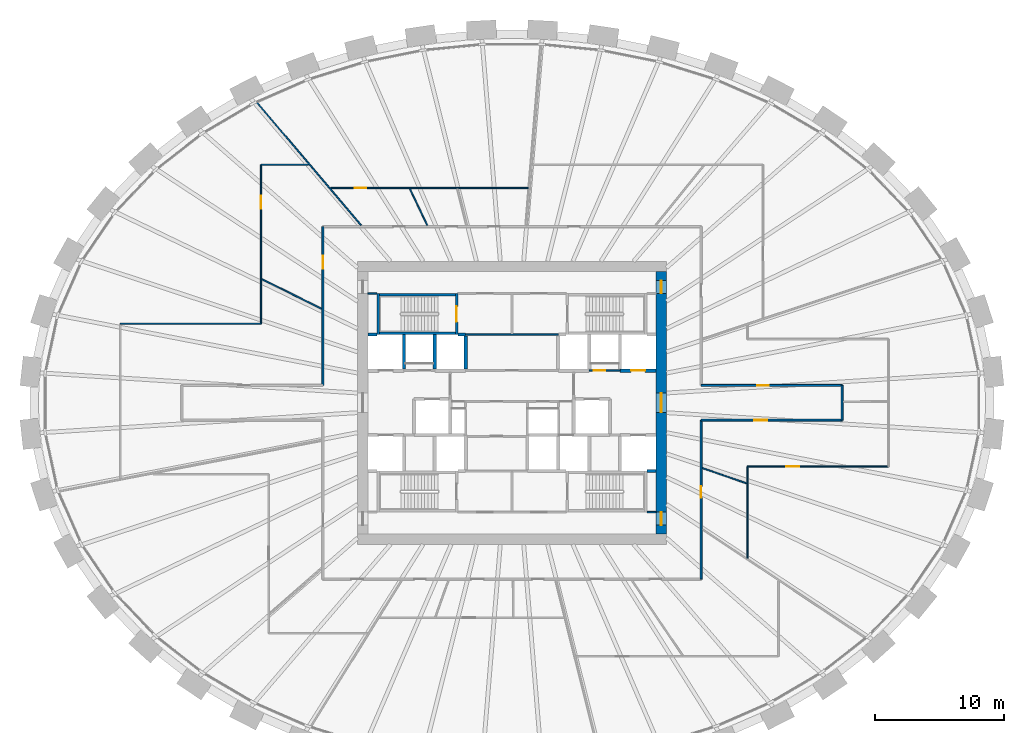
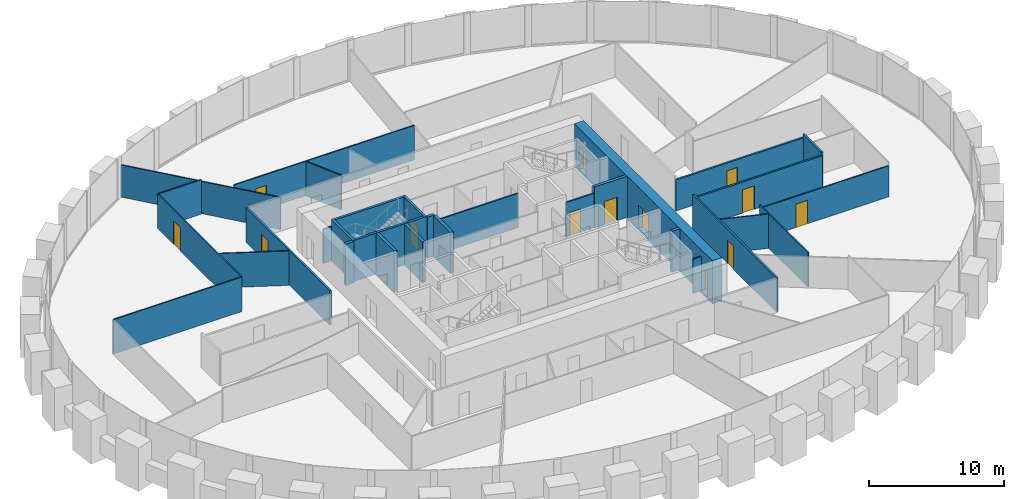
# One storey, part 8 of 10: 31 walls, 13 doors, 13 openings.
"""IFC4 building model written with IfcOpenShell, lengths in metres."""

import ifcopenshell
import ifcopenshell.guid

model = None  # the IFC model being written
_history = None  # IfcOwnerHistory: only IFC2X3 demands one
_inside = {}  # id of a spatial element -> (the spatial element, [elements in it])
_under = {}  # id of a project, library or spatial element -> (it, [spatial elements below it])
_declared = {}  # id of a project -> (the project, [libraries it declares])
_typed = {}  # id of a type object -> (the type object, [elements of that type])
_made_of = {}  # id of a material, layer set ... -> (it, [elements and type objects made of it])


def new_model(schema):
    """Start an empty IFC model of exactly this schema.

    Asked for "IFC4X3", IfcOpenShell would pick the latest addendum, in which some entities
    have other attributes; the version numbers below select the first issue.
    IFC2X3 requires an IfcOwnerHistory on every rooted entity: one is made here for all.
    """
    global model, _history
    if schema == "IFC4X3":
        model = ifcopenshell.file(schema_version=(4, 3, 0, 0))
    else:
        model = ifcopenshell.file(schema=schema)
    _inside.clear()
    _under.clear()
    _declared.clear()
    _typed.clear()
    _made_of.clear()
    _history = None
    if model.schema == "IFC2X3":
        org = make("IfcOrganization", Name="unknown")
        user = make(
            "IfcPersonAndOrganization",
            ThePerson=make("IfcPerson", FamilyName="unknown"),
            TheOrganization=org,
        )
        app = make(
            "IfcApplication",
            ApplicationDeveloper=org,
            Version="unknown",
            ApplicationFullName="unknown",
            ApplicationIdentifier="unknown",
        )
        _history = make(
            "IfcOwnerHistory",
            OwningUser=user,
            OwningApplication=app,
            ChangeAction="ADDED",
            CreationDate=0,
        )
    return model


def make(cls, **values):
    """One entity of the class cls with the attributes given. An attribute that is None is left unset."""
    return model.create_entity(
        cls, **{name: value for name, value in values.items() if value is not None}
    )


def rooted(cls, **values):
    """An entity with a GlobalId (a new one), such as an element, a storey or a relation."""
    return make(cls, GlobalId=ifcopenshell.guid.new(), OwnerHistory=_history, **values)


def si_unit(unit_type, name, prefix=None):
    """IfcSIUnit, for example si_unit("LENGTHUNIT", "METRE", prefix="MILLI")."""
    return make("IfcSIUnit", UnitType=unit_type, Prefix=prefix, Name=name)


def assignment(units):
    """IfcUnitAssignment: the units of a project."""
    return None if units is None else make("IfcUnitAssignment", Units=units)


def point(xyz):
    """IfcCartesianPoint."""
    return None if xyz is None else make("IfcCartesianPoint", Coordinates=xyz)


def direction(xyz):
    """IfcDirection."""
    return None if xyz is None else make("IfcDirection", DirectionRatios=xyz)


def frame(location, z_axis=None, x_axis=None):
    """IfcAxis2Placement3D, a coordinate frame: its origin and axes. An axis left out is left unset."""
    return make(
        "IfcAxis2Placement3D",
        Location=point(location),
        Axis=direction(z_axis),
        RefDirection=direction(x_axis),
    )


def frame_2d(location, x_axis=None):
    """IfcAxis2Placement2D, a coordinate frame in the plane: its origin and x axis."""
    return make(
        "IfcAxis2Placement2D", Location=point(location), RefDirection=direction(x_axis)
    )


def origin():
    """The frame at (0, 0, 0) with its axes left unset."""
    return frame((0.0, 0.0, 0.0))


def place(relative_to, where):
    """IfcLocalPlacement: puts the frame where relative to a parent placement (None: the world)."""
    return make(
        "IfcLocalPlacement", PlacementRelTo=relative_to, RelativePlacement=where
    )


def context(
    kind, dimensions, precision=None, world=None, true_north=None, identifier=None
):
    """IfcGeometricRepresentationContext, for example the 3D "Model" context."""
    return make(
        "IfcGeometricRepresentationContext",
        ContextIdentifier=identifier,
        ContextType=kind,
        CoordinateSpaceDimension=dimensions,
        Precision=precision,
        WorldCoordinateSystem=world,
        TrueNorth=true_north,
    )


def subcontext(parent, identifier, kind, view, scale=None):
    """IfcGeometricRepresentationSubContext, for example "Body" below "Model"."""
    return make(
        "IfcGeometricRepresentationSubContext",
        ContextIdentifier=identifier,
        ContextType=kind,
        ParentContext=parent,
        TargetScale=scale,
        TargetView=view,
    )


def project(units=None, contexts=None):
    """IfcProject with its units and contexts."""
    return rooted(
        "IfcProject",
        Name="project",
        RepresentationContexts=contexts,
        UnitsInContext=assignment(units),
    )


def spatial(cls, under=None, at=None, **own):
    """A site, building, storey or space (cls), placed at a placement, below another one or the project."""
    s = rooted(cls, ObjectPlacement=at, **own)
    if under is not None:
        _under.setdefault(under.id(), (under, []))[1].append(s)
    return s


def profile(cls, at=None, kind="AREA", **sizes):
    """A parametric profile (cls). Its sizes go by their IFC names, for example OverallWidth=200.0."""
    return make(cls, ProfileType=kind, Position=at, **sizes)


def rectangle(**sizes):
    """IfcRectangleProfileDef."""
    return profile("IfcRectangleProfileDef", **sizes)


def extrude(swept, where, along, depth):
    """IfcExtrudedAreaSolid: the profile swept, set in the frame where, extruded along a direction by depth."""
    return make(
        "IfcExtrudedAreaSolid",
        SweptArea=swept,
        Position=where,
        ExtrudedDirection=direction(along),
        Depth=depth,
    )


def shape(context_of_items, identifier, shape_type, items):
    """IfcShapeRepresentation: the items that make up one representation, for example the "Body"."""
    return make(
        "IfcShapeRepresentation",
        ContextOfItems=context_of_items,
        RepresentationIdentifier=identifier,
        RepresentationType=shape_type,
        Items=items,
    )


def source(mapping_origin, context_of_items, identifier, shape_type, items):
    """IfcRepresentationMap: a shape defined once, which mapped items show again and again."""
    return make(
        "IfcRepresentationMap",
        MappingOrigin=mapping_origin,
        MappedRepresentation=shape(context_of_items, identifier, shape_type, items),
    )


def transform(
    local_origin,
    x_axis=None,
    y_axis=None,
    z_axis=None,
    scale=None,
    scale2=None,
    scale3=None,
    uniform=True,
):
    """IfcCartesianTransformationOperator3D, or its non-uniform kind. x_axis, y_axis, z_axis: its Axis1, 2, 3."""
    if uniform:
        return make(
            "IfcCartesianTransformationOperator3D",
            Axis1=direction(x_axis),
            Axis2=direction(y_axis),
            LocalOrigin=point(local_origin),
            Scale=scale,
            Axis3=direction(z_axis),
        )
    return make(
        "IfcCartesianTransformationOperator3DnonUniform",
        Axis1=direction(x_axis),
        Axis2=direction(y_axis),
        LocalOrigin=point(local_origin),
        Scale=scale,
        Axis3=direction(z_axis),
        Scale2=scale2,
        Scale3=scale3,
    )


def mapped(mapping_source, mapping_target):
    """IfcMappedItem: shows the shape of a source again, moved by a transform."""
    return make(
        "IfcMappedItem", MappingSource=mapping_source, MappingTarget=mapping_target
    )


def material(Name=None, Category=None):
    """IfcMaterial."""
    return make("IfcMaterial", Name=Name, Category=Category)


def layer(
    of_material, thickness, ventilated=None, Name=None, Category=None, Priority=None
):
    """IfcMaterialLayer: one layer of a wall or slab, of a material (None: an air gap)."""
    return make(
        "IfcMaterialLayer",
        Material=of_material,
        LayerThickness=thickness,
        IsVentilated=ventilated,
        Name=Name,
        Category=Category,
        Priority=Priority,
    )


def layer_set(layers, Name=None):
    """IfcMaterialLayerSet."""
    return make("IfcMaterialLayerSet", MaterialLayers=layers, LayerSetName=Name)


def made_of(thing, what):
    """Note that an element or type object is made of a material, layer set ...; save() writes the relation."""
    if what is not None:
        _made_of.setdefault(what.id(), (what, []))[1].append(thing)
    return thing


def type_object(cls, material=None, **own):
    """A type object (cls), such as IfcWallType, which elements share."""
    return made_of(rooted(cls, **own), material)


def element(
    cls,
    number,
    at=None,
    inside=None,
    cuts=None,
    type_object=None,
    material=None,
    context=None,
    identifier="Body",
    shape_type=None,
    held_by="IfcProductDefinitionShape",
    body=None,
    shapes=None,
    **own,
):
    """One element of the class cls, such as IfcWall. Its Tag is "e" and its number.

    at: its placement. inside: the storey or other place that contains it. cuts: it is an
    opening in that element (IfcRelVoidsElement). A single representation is given by context,
    identifier, shape_type and body (its items); several are given by shapes. held_by: the class
    of the entity that holds the representations. save() writes the other relations.
    """
    e = rooted(cls, Tag="e%d" % number, ObjectPlacement=at, **own)
    if body is not None:
        shapes = [shape(context, identifier, shape_type, body)]
    if shapes is not None:
        e.Representation = make(held_by, Representations=shapes)
    if inside is not None:
        _inside.setdefault(inside.id(), (inside, []))[1].append(e)
    if cuts is not None:
        rooted(
            "IfcRelVoidsElement", RelatingBuildingElement=cuts, RelatedOpeningElement=e
        )
    if type_object is not None:
        _typed.setdefault(type_object.id(), (type_object, []))[1].append(e)
    return made_of(e, material)


def fill(opening, filler):
    """IfcRelFillsElement: the door or window that sits in an opening."""
    return rooted(
        "IfcRelFillsElement",
        RelatingOpeningElement=opening,
        RelatedBuildingElement=filler,
    )


def aggregate(whole, parts):
    """IfcRelAggregates: a whole, such as a stair, and the parts it consists of."""
    return rooted("IfcRelAggregates", RelatingObject=whole, RelatedObjects=parts)


def save(model, path):
    """Write the relations noted so far, then the file.

    IfcRelAggregates (storeys below a building ...), IfcRelContainedInSpatialStructure (elements
    in a storey), IfcRelDefinesByType, IfcRelAssociatesMaterial and IfcRelDeclares: one each for
    every whole, place, type object, material and project.
    """
    for whole, parts in _under.values():
        aggregate(whole, parts)
    for where, things in _inside.values():
        rooted(
            "IfcRelContainedInSpatialStructure",
            RelatedElements=things,
            RelatingStructure=where,
        )
    for kind, things in _typed.values():
        rooted("IfcRelDefinesByType", RelatedObjects=things, RelatingType=kind)
    for what, things in _made_of.values():
        rooted("IfcRelAssociatesMaterial", RelatedObjects=things, RelatingMaterial=what)
    for by, libraries in _declared.values():
        rooted("IfcRelDeclares", RelatingContext=by, RelatedDefinitions=libraries)
    model.write(path)


model = new_model("IFC4")

# Units and contexts
model_context = context("Model", 3, precision=1e-05, world=origin(), true_north=direction((0.0, 1.0)))
body_context = subcontext(model_context, "Body", "Model", "MODEL_VIEW")
ifc_project = project(units=[si_unit("LENGTHUNIT", "METRE"), si_unit("AREAUNIT", "SQUARE_METRE"), si_unit("VOLUMEUNIT", "CUBIC_METRE"), si_unit("PLANEANGLEUNIT", "RADIAN"), si_unit("MASSUNIT", "GRAM", prefix="KILO")], contexts=[model_context])

# Site, building, storey
site_placement = place(None, origin())
site = spatial("IfcSite", under=ifc_project, at=site_placement, CompositionType="ELEMENT")
building_placement = place(site_placement, origin())
building = spatial("IfcBuilding", under=site, at=building_placement, Name="Embergate Tower", CompositionType="ELEMENT")
storey_placement = place(building_placement, frame((0.0, 0.0, 167.699951171875)))
storey = spatial("IfcBuildingStorey", under=building, at=storey_placement, Name="L37", CompositionType="ELEMENT", Elevation=167.699951171875)

# Wall, openings, doors
ifc_material_1 = material(Name="Concrete C70", Category="concrete")
ifc_layer_1 = layer(ifc_material_1, 0.800048828125)
ifc_layer_set_1 = layer_set([ifc_layer_1], Name="Concrete C70")
wall_type_1 = type_object("IfcWallType", Name="Core outer wall C70 800", PredefinedType="SHEAR", material=ifc_layer_set_1)
shared_shape_1 = source(origin(), body_context, "Body", "SweptSolid", [
    extrude(rectangle(XDim=20.39990234375, YDim=0.800048828125, at=frame_2d((10.199951171875, 0.0))), origin(), (0.0, 0.0, 1.0), 3.89990234375),
])
wall_1_placement = place(storey_placement, frame((11.60009765625, -10.199951171875, -0.199951171875), z_axis=(0.0, 0.0, 1.0), x_axis=(0.0, 1.0, 0.0)))
wall_1 = element("IfcWall", 1, at=wall_1_placement, inside=storey, type_object=wall_type_1, Name="CW-L37-E", PredefinedType="SHEAR", context=body_context, shape_type="MappedRepresentation", body=[
    mapped(shared_shape_1, transform((0.0, 0.0, 0.0))),
])
shared_shape_2 = source(origin(), body_context, "Body", "SweptSolid", [
    extrude(rectangle(XDim=1.0, YDim=2.10009765625, at=frame_2d((0.5, 1.050048828125))), frame((0.0, 0.409912109375, 0.0), z_axis=(0.0, -1.0, 0.0), x_axis=(1.0, 0.0, 0.0)), (0.0, 0.0, 1.0), 0.820068359375),
])
opening_1_placement = place(wall_1_placement, frame((18.699951171875, 0.0, 0.199951171875)))
opening_1 = element("IfcOpeningElement", 2, at=opening_1_placement, cuts=wall_1, Name="Opening IF-1d", PredefinedType="OPENING", context=body_context, shape_type="MappedRepresentation", body=[
    mapped(shared_shape_2, transform((0.0, 0.0, 0.0))),
])
opening_2_placement = place(wall_1_placement, frame((0.699951171875, 0.0, 0.199951171875)))
opening_2 = element("IfcOpeningElement", 3, at=opening_2_placement, cuts=wall_1, Name="Opening IF-1d", PredefinedType="OPENING", context=body_context, shape_type="MappedRepresentation", body=[
    mapped(shared_shape_2, transform((0.0, 0.0, 0.0))),
])
shared_shape_3 = source(origin(), body_context, "Body", "SweptSolid", [
    extrude(rectangle(XDim=1.5, YDim=2.10009765625, at=frame_2d((0.75, 1.050048828125))), frame((0.0, 0.409912109375, 0.0), z_axis=(0.0, -1.0, 0.0), x_axis=(1.0, 0.0, 0.0)), (0.0, 0.0, 1.0), 0.820068359375),
])
opening_3_placement = place(wall_1_placement, frame((9.449951171875, 0.0, 0.199951171875)))
opening_3 = element("IfcOpeningElement", 4, at=opening_3_placement, cuts=wall_1, Name="Opening IF-3", PredefinedType="OPENING", context=body_context, shape_type="MappedRepresentation", body=[
    mapped(shared_shape_3, transform((0.0, 0.0, 0.0))),
])
ifc_material_2 = material(Name="Lobby fire door pair 1500")
door_type_1 = type_object("IfcDoorType", Name="Lobby fire door pair 1500", OperationType="DOUBLE_DOOR_SINGLE_SWING", PredefinedType="DOOR", material=ifc_material_2)
shared_shape_4 = source(origin(), body_context, "Body", "SweptSolid", [
    extrude(rectangle(XDim=1.5, YDim=2.10009765625, at=frame_2d((0.75, 1.050048828125))), frame((0.0, 0.02490234375, 0.0), z_axis=(0.0, -1.0, 0.0), x_axis=(1.0, 0.0, 0.0)), (0.0, 0.0, 1.0), 0.050048828125),
])
door_1_placement = place(opening_3_placement, origin())
door_1 = element("IfcDoor", 5, at=door_1_placement, inside=storey, type_object=door_type_1, Name="IF-3 door", OperationType="DOUBLE_DOOR_SINGLE_SWING", OverallHeight=2.10009765625, OverallWidth=1.5, PredefinedType="DOOR", context=body_context, shape_type="MappedRepresentation", body=[
    mapped(shared_shape_4, transform((0.0, 0.0, 0.0))),
])
fill(opening_3, door_1)
ifc_material_3 = material(Name="Escape fire door 1000")
door_type_2 = type_object("IfcDoorType", Name="Escape fire door 1000", OperationType="SINGLE_SWING_LEFT", PredefinedType="DOOR", material=ifc_material_3)
shared_shape_5 = source(origin(), body_context, "Body", "SweptSolid", [
    extrude(rectangle(XDim=1.0, YDim=2.10009765625, at=frame_2d((0.5, 1.050048828125))), frame((0.0, 0.02490234375, 0.0), z_axis=(0.0, -1.0, 0.0), x_axis=(1.0, 0.0, 0.0)), (0.0, 0.0, 1.0), 0.050048828125),
])
door_2_placement = place(opening_1_placement, origin())
door_2 = element("IfcDoor", 6, at=door_2_placement, inside=storey, type_object=door_type_2, Name="IF-1 door", OperationType="SINGLE_SWING_RIGHT", OverallHeight=2.10009765625, OverallWidth=1.0, PredefinedType="DOOR", context=body_context, shape_type="MappedRepresentation", body=[
    mapped(shared_shape_5, transform((0.0, 0.0, 0.0))),
])
fill(opening_1, door_2)
door_3_placement = place(opening_2_placement, origin())
door_3 = element("IfcDoor", 7, at=door_3_placement, inside=storey, type_object=door_type_2, Name="IF-1 door", OperationType="SINGLE_SWING_LEFT", OverallHeight=2.10009765625, OverallWidth=1.0, PredefinedType="DOOR", context=body_context, shape_type="MappedRepresentation", body=[
    mapped(shared_shape_5, transform((0.0, 0.0, 0.0))),
])
fill(opening_2, door_3)

# Walls
ifc_material_4 = material(Name="Concrete C50", Category="concrete")
ifc_layer_2 = layer(ifc_material_4, 0.25)
ifc_layer_set_2 = layer_set([ifc_layer_2], Name="Concrete C50")
wall_type_2 = type_object("IfcWallType", Name="Hoistway wall reinforced concrete 250", PredefinedType="SHEAR", material=ifc_layer_set_2)
shared_shape_6 = source(origin(), body_context, "Body", "SweptSolid", [
    extrude(rectangle(XDim=2.675048828125, YDim=0.25, at=frame_2d((1.33740234375, 0.0))), origin(), (0.0, 0.0, 1.0), 3.699951171875),
])
for number, where, z_axis, x_axis, name in (
    (8, (-8.39990234375, 2.625, 0.0), (0.0, 0.0, 1.0), (0.0, 1.0, 0.0), "HW-1 wall"),
    (9, (-6.0, 2.625, 0.0), (0.0, 0.0, 1.0), (0.0, 1.0, 0.0), "HW-1 wall"),
):
    element("IfcWall", number, at=place(storey_placement, frame(where, z_axis=z_axis, x_axis=x_axis)), inside=storey, type_object=wall_type_2, Name=name, PredefinedType="SHEAR", context=body_context, shape_type="MappedRepresentation", body=[
        mapped(shared_shape_6, transform((0.0, 0.0, 0.0))),
    ])
ifc_layer_3 = layer(ifc_material_4, 0.199951171875)
ifc_layer_set_3 = layer_set([ifc_layer_3], Name="Concrete C50")
wall_type_3 = type_object("IfcWallType", Name="Stair enclosure wall reinforced concrete 250", PredefinedType="SHEAR", material=ifc_layer_set_3)
shared_shape_7 = source(origin(), body_context, "Body", "SweptSolid", [
    extrude(rectangle(XDim=6.300048828125, YDim=0.199951171875, at=frame_2d((3.14990234375, 0.0))), origin(), (0.0, 0.0, 1.0), 3.699951171875),
])
for number, where, z_axis, x_axis, name in (
    (10, (-4.199951171875, 5.39990234375, 0.0), (0.0, 0.0, 1.0), (-1.0, 0.0, 0.0), "SE-1 wall"),
    (11, (-4.199951171875, 8.39990234375, 0.0), (0.0, 0.0, 1.0), (-1.0, 0.0, 0.0), "SE-1 wall"),
):
    element("IfcWall", number, at=place(storey_placement, frame(where, z_axis=z_axis, x_axis=x_axis)), inside=storey, type_object=wall_type_3, Name=name, PredefinedType="SHEAR", context=body_context, shape_type="MappedRepresentation", body=[
        mapped(shared_shape_7, transform((0.0, 0.0, 0.0))),
    ])
shared_shape_8 = source(origin(), body_context, "Body", "SweptSolid", [
    extrude(rectangle(XDim=2.550048828125, YDim=0.25, at=frame_2d((1.27490234375, 0.0))), origin(), (0.0, 0.0, 1.0), 3.699951171875),
])
wall_2_placement = place(storey_placement, frame((-3.60009765625, 2.625, 0.0), z_axis=(0.0, 0.0, 1.0), x_axis=(0.0, 1.0, 0.0)))
element("IfcWall", 12, at=wall_2_placement, inside=storey, type_object=wall_type_2, Name="HW-1 wall", PredefinedType="SHEAR", context=body_context, shape_type="MappedRepresentation", body=[
    mapped(shared_shape_8, transform((0.0, 0.0, 0.0))),
])

# Wall, opening, door
shared_shape_9 = source(origin(), body_context, "Body", "SweptSolid", [
    extrude(rectangle(XDim=3.199951171875, YDim=0.199951171875, at=frame_2d((1.60009765625, 0.0))), origin(), (0.0, 0.0, 1.0), 3.699951171875),
])
wall_3_placement = place(storey_placement, frame((-4.300048828125, 5.300048828125, 0.0), z_axis=(0.0, 0.0, 1.0), x_axis=(0.0, 1.0, 0.0)))
wall_3 = element("IfcWall", 13, at=wall_3_placement, inside=storey, type_object=wall_type_3, Name="SE-1 wall", PredefinedType="SHEAR", context=body_context, shape_type="MappedRepresentation", body=[
    mapped(shared_shape_9, transform((0.0, 0.0, 0.0))),
])
shared_shape_10 = source(origin(), body_context, "Body", "SweptSolid", [
    extrude(rectangle(XDim=1.199951171875, YDim=2.10009765625, at=frame_2d((0.60009765625, 1.050048828125))), frame((0.0, 0.10986328125, 0.0), z_axis=(0.0, -1.0, 0.0), x_axis=(1.0, 0.0, 0.0)), (0.0, 0.0, 1.0), 0.219970703125),
])
opening_4_placement = place(wall_3_placement, frame((1.0, 0.0, 0.0)))
opening_4 = element("IfcOpeningElement", 14, at=opening_4_placement, cuts=wall_3, Name="Opening IF-2", PredefinedType="OPENING", context=body_context, shape_type="MappedRepresentation", body=[
    mapped(shared_shape_10, transform((0.0, 0.0, 0.0))),
])
ifc_material_5 = material(Name="Stair enclosure door 1200")
door_type_3 = type_object("IfcDoorType", Name="Stair enclosure door 1200", OperationType="SINGLE_SWING_LEFT", PredefinedType="DOOR", material=ifc_material_5)
shared_shape_11 = source(origin(), body_context, "Body", "SweptSolid", [
    extrude(rectangle(XDim=1.199951171875, YDim=2.10009765625, at=frame_2d((0.60009765625, 1.050048828125))), frame((0.0, 0.02490234375, 0.0), z_axis=(0.0, -1.0, 0.0), x_axis=(1.0, 0.0, 0.0)), (0.0, 0.0, 1.0), 0.050048828125),
])
door_4_placement = place(opening_4_placement, origin())
door_4 = element("IfcDoor", 15, at=door_4_placement, inside=storey, type_object=door_type_3, Name="IF-2 door", OperationType="SINGLE_SWING_LEFT", OverallHeight=2.10009765625, OverallWidth=1.199951171875, PredefinedType="DOOR", context=body_context, shape_type="MappedRepresentation", body=[
    mapped(shared_shape_11, transform((0.0, 0.0, 0.0))),
])
fill(opening_4, door_4)

ifc_material_6 = material(Name="Corridor wall dry-lined 150")
ifc_layer_4 = layer(ifc_material_6, 0.14990234375)
ifc_layer_set_4 = layer_set([ifc_layer_4], Name="Corridor wall dry-lined 150")
wall_type_4 = type_object("IfcWallType", Name="Corridor wall dry-lined 150", PredefinedType="PARTITIONING", material=ifc_layer_set_4)
shared_shape_12 = source(origin(), body_context, "Body", "SweptSolid", [
    extrude(rectangle(XDim=10.949951171875, YDim=0.14990234375, at=frame_2d((5.47509765625, 0.0))), origin(), (0.0, 0.0, 1.0), 2.800048828125),
])
wall_4_placement = place(storey_placement, frame((25.64990234375, -1.35009765625, 0.0), z_axis=(0.0, 0.0, 1.0), x_axis=(-1.0, 0.0, 0.0)))
wall_4 = element("IfcWall", 16, at=wall_4_placement, inside=storey, type_object=wall_type_4, Name="IP-2 wall", PredefinedType="PARTITIONING", context=body_context, shape_type="MappedRepresentation", body=[
    mapped(shared_shape_12, transform((0.0, 0.0, 0.0))),
])
shared_shape_13 = source(origin(), body_context, "Body", "SweptSolid", [
    extrude(rectangle(XDim=1.0, YDim=2.10009765625, at=frame_2d((0.5, 1.050048828125))), frame((0.0, 0.0849609375, 0.0), z_axis=(0.0, -1.0, 0.0), x_axis=(1.0, 0.0, 0.0)), (0.0, 0.0, 1.0), 0.169921875),
])
opening_5_placement = place(wall_4_placement, frame((5.81591796875, 0.0, 0.0)))
opening_5 = element("IfcOpeningElement", 17, at=opening_5_placement, cuts=wall_4, Name="Opening ID-2", PredefinedType="OPENING", context=body_context, shape_type="MappedRepresentation", body=[
    mapped(shared_shape_13, transform((0.0, 0.0, 0.0))),
])
ifc_material_7 = material(Name="Interior door 1000")
door_type_4 = type_object("IfcDoorType", Name="Interior door 1000", OperationType="SINGLE_SWING_LEFT", PredefinedType="DOOR", material=ifc_material_7)
door_5_placement = place(opening_5_placement, origin())
door_5 = element("IfcDoor", 18, at=door_5_placement, inside=storey, type_object=door_type_4, Name="ID-2 door", OperationType="SINGLE_SWING_LEFT", OverallHeight=2.10009765625, OverallWidth=1.0, PredefinedType="DOOR", context=body_context, shape_type="MappedRepresentation", body=[
    mapped(shared_shape_5, transform((0.0, 0.0, 0.0))),
])
fill(opening_5, door_5)

wall_5_placement = place(storey_placement, frame((14.699951171875, 1.35009765625, 0.0), z_axis=(0.0, 0.0, 1.0), x_axis=(1.0, 0.0, 0.0)))
wall_5 = element("IfcWall", 19, at=wall_5_placement, inside=storey, type_object=wall_type_4, Name="IP-2 wall", PredefinedType="PARTITIONING", context=body_context, shape_type="MappedRepresentation", body=[
    mapped(shared_shape_12, transform((0.0, 0.0, 0.0))),
])
shared_shape_14 = source(origin(), body_context, "Body", "SweptSolid", [
    extrude(rectangle(XDim=0.89990234375, YDim=2.10009765625, at=frame_2d((0.449951171875, 1.050048828125))), frame((0.0, 0.0849609375, 0.0), z_axis=(0.0, -1.0, 0.0), x_axis=(1.0, 0.0, 0.0)), (0.0, 0.0, 1.0), 0.169921875),
])
opening_6_placement = place(wall_5_placement, frame((4.364013671875, 0.0, 0.0)))
opening_6 = element("IfcOpeningElement", 20, at=opening_6_placement, cuts=wall_5, Name="Opening IF-1c", PredefinedType="OPENING", context=body_context, shape_type="MappedRepresentation", body=[
    mapped(shared_shape_14, transform((0.0, 0.0, 0.0))),
])
ifc_material_8 = material(Name="Escape fire door 900")
door_type_5 = type_object("IfcDoorType", Name="Escape fire door 900", OperationType="SINGLE_SWING_LEFT", PredefinedType="DOOR", material=ifc_material_8)
shared_shape_15 = source(origin(), body_context, "Body", "SweptSolid", [
    extrude(rectangle(XDim=0.89990234375, YDim=2.10009765625, at=frame_2d((0.449951171875, 1.050048828125))), frame((0.0, 0.02490234375, 0.0), z_axis=(0.0, -1.0, 0.0), x_axis=(1.0, 0.0, 0.0)), (0.0, 0.0, 1.0), 0.050048828125),
])
door_6_placement = place(opening_6_placement, origin())
door_6 = element("IfcDoor", 21, at=door_6_placement, inside=storey, type_object=door_type_5, Name="IF-1 door", OperationType="SINGLE_SWING_RIGHT", OverallHeight=2.10009765625, OverallWidth=0.89990234375, PredefinedType="DOOR", context=body_context, shape_type="MappedRepresentation", body=[
    mapped(shared_shape_15, transform((0.0, 0.0, 0.0))),
])
fill(opening_6, door_6)

# Wall
ifc_material_9 = material(Name="Partition dry-lined 100")
ifc_layer_5 = layer(ifc_material_9, 0.10009765625)
ifc_layer_set_5 = layer_set([ifc_layer_5], Name="Partition dry-lined 100")
wall_type_5 = type_object("IfcWallType", Name="Partition dry-lined 100", PredefinedType="PARTITIONING", material=ifc_layer_set_5)
shared_shape_16 = source(origin(), body_context, "Body", "SweptSolid", [
    extrude(rectangle(XDim=10.949951171875, YDim=0.10009765625, at=frame_2d((5.47509765625, 0.0))), origin(), (0.0, 0.0, 1.0), 3.10009765625),
])
wall_6_placement = place(storey_placement, frame((-19.5, 6.14990234375, 0.0), z_axis=(0.0, 0.0, 1.0), x_axis=(-1.0, 0.0, 0.0)))
element("IfcWall", 22, at=wall_6_placement, inside=storey, type_object=wall_type_5, Name="IP-1 wall", PredefinedType="PARTITIONING", context=body_context, shape_type="MappedRepresentation", body=[
    mapped(shared_shape_16, transform((0.0, 0.0, 0.0))),
])

# Wall, opening, door
shared_shape_17 = source(origin(), body_context, "Body", "SweptSolid", [
    extrude(rectangle(XDim=10.949951171875, YDim=0.10009765625, at=frame_2d((5.47509765625, 0.0))), origin(), (0.0, 0.0, 1.0), 2.800048828125),
])
wall_7_placement = place(storey_placement, frame((29.25, -4.949951171875, 0.0), z_axis=(0.0, 0.0, 1.0), x_axis=(-1.0, 0.0, 0.0)))
wall_7 = element("IfcWall", 23, at=wall_7_placement, inside=storey, type_object=wall_type_5, Name="IP-1 wall", PredefinedType="PARTITIONING", context=body_context, shape_type="MappedRepresentation", body=[
    mapped(shared_shape_17, transform((0.0, 0.0, 0.0))),
])
shared_shape_18 = source(origin(), body_context, "Body", "SweptSolid", [
    extrude(rectangle(XDim=1.0, YDim=2.10009765625, at=frame_2d((0.5, 1.050048828125))), frame((0.0, 0.06005859375, 0.0), z_axis=(0.0, -1.0, 0.0), x_axis=(1.0, 0.0, 0.0)), (0.0, 0.0, 1.0), 0.1201171875),
])
opening_7_placement = place(wall_7_placement, frame((6.93798828125, 0.0, 0.0)))
opening_7 = element("IfcOpeningElement", 24, at=opening_7_placement, cuts=wall_7, Name="Opening ID-2", PredefinedType="OPENING", context=body_context, shape_type="MappedRepresentation", body=[
    mapped(shared_shape_18, transform((0.0, 0.0, 0.0))),
])
door_7_placement = place(opening_7_placement, origin())
door_7 = element("IfcDoor", 25, at=door_7_placement, inside=storey, type_object=door_type_4, Name="ID-2 door", OperationType="SINGLE_SWING_RIGHT", OverallHeight=2.10009765625, OverallWidth=1.0, PredefinedType="DOOR", context=body_context, shape_type="MappedRepresentation", body=[
    mapped(shared_shape_5, transform((0.0, 0.0, 0.0))),
])
fill(opening_7, door_7)

shared_shape_19 = source(origin(), body_context, "Body", "SweptSolid", [
    extrude(rectangle(XDim=2.800048828125, YDim=0.25, at=frame_2d((1.39990234375, 0.0))), origin(), (0.0, 0.0, 1.0), 3.699951171875),
])
wall_8_placement = place(storey_placement, frame((8.39990234375, 2.5, 0.0), z_axis=(0.0, 0.0, 1.0), x_axis=(1.0, 0.0, 0.0)))
wall_8 = element("IfcWall", 26, at=wall_8_placement, inside=storey, type_object=wall_type_2, Name="HW-1 wall", PredefinedType="SHEAR", context=body_context, shape_type="MappedRepresentation", body=[
    mapped(shared_shape_19, transform((0.0, 0.0, 0.0))),
])
shared_shape_20 = source(origin(), body_context, "Body", "SweptSolid", [
    extrude(rectangle(XDim=1.10009765625, YDim=2.10009765625, at=frame_2d((0.550048828125, 1.050048828125))), frame((0.0, 0.135009765625, 0.0), z_axis=(0.0, -1.0, 0.0), x_axis=(1.0, 0.0, 0.0)), (0.0, 0.0, 1.0), 0.27001953125),
])
opening_8_placement = place(wall_8_placement, frame((0.85009765625, 0.0, 0.0)))
opening_8 = element("IfcOpeningElement", 27, at=opening_8_placement, cuts=wall_8, Name="Opening LD", PredefinedType="OPENING", context=body_context, shape_type="MappedRepresentation", body=[
    mapped(shared_shape_20, transform((0.0, 0.0, 0.0))),
])
ifc_material_10 = material(Name="Landing door sliding 1100")
door_type_6 = type_object("IfcDoorType", Name="Landing door sliding 1100", OperationType="SLIDING_TO_LEFT", PredefinedType="DOOR", material=ifc_material_10)
shared_shape_21 = source(origin(), body_context, "Body", "SweptSolid", [
    extrude(rectangle(XDim=1.10009765625, YDim=2.10009765625, at=frame_2d((0.550048828125, 1.050048828125))), frame((0.0, 0.02490234375, 0.0), z_axis=(0.0, -1.0, 0.0), x_axis=(1.0, 0.0, 0.0)), (0.0, 0.0, 1.0), 0.050048828125),
])
door_8_placement = place(opening_8_placement, origin())
door_8 = element("IfcDoor", 28, at=door_8_placement, inside=storey, type_object=door_type_6, Name="LD door", OperationType="SLIDING_TO_RIGHT", OverallHeight=2.10009765625, OverallWidth=1.10009765625, PredefinedType="DOOR", context=body_context, shape_type="MappedRepresentation", body=[
    mapped(shared_shape_21, transform((0.0, 0.0, 0.0))),
])
fill(opening_8, door_8)

ifc_material_11 = material(Name="Core partition blockwork 120")
ifc_layer_6 = layer(ifc_material_11, 0.1201171875)
ifc_layer_set_6 = layer_set([ifc_layer_6], Name="Core partition blockwork 120")
wall_type_6 = type_object("IfcWallType", Name="Core partition blockwork 120", PredefinedType="PARTITIONING", material=ifc_layer_set_6)
shared_shape_22 = source(origin(), body_context, "Body", "SweptSolid", [
    extrude(rectangle(XDim=2.39990234375, YDim=0.1201171875, at=frame_2d((1.199951171875, 0.0))), origin(), (0.0, 0.0, 1.0), 3.10009765625),
])
wall_9_placement = place(storey_placement, frame((6.0, 2.5, 0.0), z_axis=(0.0, 0.0, 1.0), x_axis=(1.0, 0.0, 0.0)))
wall_9 = element("IfcWall", 29, at=wall_9_placement, inside=storey, type_object=wall_type_6, Name="IP-3 wall", PredefinedType="PARTITIONING", context=body_context, shape_type="MappedRepresentation", body=[
    mapped(shared_shape_22, transform((0.0, 0.0, 0.0))),
])
shared_shape_23 = source(origin(), body_context, "Body", "SweptSolid", [
    extrude(rectangle(XDim=0.89990234375, YDim=2.10009765625, at=frame_2d((0.449951171875, 1.050048828125))), frame((0.0, 0.070068359375, 0.0), z_axis=(0.0, -1.0, 0.0), x_axis=(1.0, 0.0, 0.0)), (0.0, 0.0, 1.0), 0.14013671875),
])
opening_9_placement = place(wall_9_placement, frame((0.35009765625, 0.0, 0.0)))
opening_9 = element("IfcOpeningElement", 30, at=opening_9_placement, cuts=wall_9, Name="Opening ID-1", PredefinedType="OPENING", context=body_context, shape_type="MappedRepresentation", body=[
    mapped(shared_shape_23, transform((0.0, 0.0, 0.0))),
])
ifc_material_12 = material(Name="Interior door 900")
door_type_7 = type_object("IfcDoorType", Name="Interior door 900", OperationType="SINGLE_SWING_LEFT", PredefinedType="DOOR", material=ifc_material_12)
door_9_placement = place(opening_9_placement, origin())
door_9 = element("IfcDoor", 31, at=door_9_placement, inside=storey, type_object=door_type_7, Name="ID-1 door", OperationType="SINGLE_SWING_LEFT", OverallHeight=2.10009765625, OverallWidth=0.89990234375, PredefinedType="DOOR", context=body_context, shape_type="MappedRepresentation", body=[
    mapped(shared_shape_15, transform((0.0, 0.0, 0.0))),
])
fill(opening_9, door_9)

# Walls
shared_shape_24 = source(origin(), body_context, "Body", "SweptSolid", [
    extrude(rectangle(XDim=0.599853515625, YDim=0.25, at=frame_2d((0.2998046875, 0.0))), origin(), (0.0, 0.0, 1.0), 3.699951171875),
])
wall_10_placement = place(storey_placement, frame((-3.60009765625, 5.300048828125, 0.0), z_axis=(0.0, 0.0, 1.0), x_axis=(-1.0, 0.0, 0.0)))
element("IfcWall", 32, at=wall_10_placement, inside=storey, type_object=wall_type_2, Name="HW-1 wall", PredefinedType="SHEAR", context=body_context, shape_type="MappedRepresentation", body=[
    mapped(shared_shape_24, transform((0.0, 0.0, 0.0))),
])
shared_shape_25 = source(origin(), body_context, "Body", "SweptSolid", [
    extrude(rectangle(XDim=7.2001953125, YDim=0.1201171875, at=frame_2d((3.60009765625, 0.0))), origin(), (0.0, 0.0, 1.0), 3.10009765625),
])
wall_11_placement = place(storey_placement, frame((-3.60009765625, 5.300048828125, 0.0), z_axis=(0.0, 0.0, 1.0), x_axis=(1.0, 0.0, 0.0)))
element("IfcWall", 33, at=wall_11_placement, inside=storey, type_object=wall_type_6, Name="IP-3 wall", PredefinedType="PARTITIONING", context=body_context, shape_type="MappedRepresentation", body=[
    mapped(shared_shape_25, transform((0.0, 0.0, 0.0))),
])
shared_shape_26 = source(origin(), body_context, "Body", "SweptSolid", [
    extrude(rectangle(XDim=3.196044921875, YDim=0.199951171875, at=frame_2d((1.59814453125, 0.0))), origin(), (0.0, 0.0, 1.0), 3.699951171875),
])
wall_12_placement = place(storey_placement, frame((-10.39990234375, 8.498046875, 0.0), z_axis=(0.0, 0.0, 1.0), x_axis=(0.0, -1.0, 0.0)))
element("IfcWall", 34, at=wall_12_placement, inside=storey, type_object=wall_type_3, Name="SE-1 wall", PredefinedType="SHEAR", context=body_context, shape_type="MappedRepresentation", body=[
    mapped(shared_shape_26, transform((0.0, 0.0, 0.0))),
])
shared_shape_27 = source(origin(), body_context, "Body", "SweptSolid", [
    extrude(rectangle(XDim=0.697998046875, YDim=0.25, at=frame_2d((0.34912109375, 0.0))), origin(), (0.0, 0.0, 1.0), 3.699951171875),
])
for number, where, z_axis, x_axis, name in (
    (35, (-10.501953125, 5.300048828125, 0.0), (0.0, 0.0, 1.0), (-1.0, 0.0, 0.0), "HW-1 wall"),
    (36, (10.501953125, -5.300048828125, 0.0), (0.0, 0.0, 1.0), (1.0, 0.0, 0.0), "HW-1 wall"),
):
    element("IfcWall", number, at=place(storey_placement, frame(where, z_axis=z_axis, x_axis=x_axis)), inside=storey, type_object=wall_type_2, Name=name, PredefinedType="SHEAR", context=body_context, shape_type="MappedRepresentation", body=[
        mapped(shared_shape_27, transform((0.0, 0.0, 0.0))),
    ])
shared_shape_28 = source(origin(), body_context, "Body", "SweptSolid", [
    extrude(rectangle(XDim=0.697998046875, YDim=0.1201171875, at=frame_2d((0.34912109375, 0.0))), origin(), (0.0, 0.0, 1.0), 3.10009765625),
])
for number, where, z_axis, x_axis, name in (
    (37, (-11.199951171875, 8.5, 0.0), (0.0, 0.0, 1.0), (1.0, 0.0, 0.0), "IP-3 wall"),
    (38, (11.199951171875, -8.5, 0.0), (0.0, 0.0, 1.0), (-1.0, 0.0, 0.0), "IP-3 wall"),
):
    element("IfcWall", number, at=place(storey_placement, frame(where, z_axis=z_axis, x_axis=x_axis)), inside=storey, type_object=wall_type_6, Name=name, PredefinedType="PARTITIONING", context=body_context, shape_type="MappedRepresentation", body=[
        mapped(shared_shape_28, transform((0.0, 0.0, 0.0))),
    ])

# Wall, opening, door
shared_shape_29 = source(origin(), body_context, "Body", "SweptSolid", [
    extrude(rectangle(XDim=12.349853515625, YDim=0.14990234375, at=frame_2d((6.1748046875, 0.0))), origin(), (0.0, 0.0, 1.0), 3.10009765625),
])
wall_13_placement = place(storey_placement, frame((14.699951171875, -1.35009765625, 0.0), z_axis=(0.0, 0.0, 1.0), x_axis=(0.0, -1.0, 0.0)))
wall_13 = element("IfcWall", 39, at=wall_13_placement, inside=storey, type_object=wall_type_4, Name="IP-2 wall", PredefinedType="PARTITIONING", context=body_context, shape_type="MappedRepresentation", body=[
    mapped(shared_shape_29, transform((0.0, 0.0, 0.0))),
])
opening_10_placement = place(wall_13_placement, frame((5.1220703125, 0.0, 0.0)))
opening_10 = element("IfcOpeningElement", 40, at=opening_10_placement, cuts=wall_13, Name="Opening IF-1c", PredefinedType="OPENING", context=body_context, shape_type="MappedRepresentation", body=[
    mapped(shared_shape_14, transform((0.0, 0.0, 0.0))),
])
door_10_placement = place(opening_10_placement, origin())
door_10 = element("IfcDoor", 41, at=door_10_placement, inside=storey, type_object=door_type_5, Name="IF-1 door", OperationType="SINGLE_SWING_LEFT", OverallHeight=2.10009765625, OverallWidth=0.89990234375, PredefinedType="DOOR", context=body_context, shape_type="MappedRepresentation", body=[
    mapped(shared_shape_15, transform((0.0, 0.0, 0.0))),
])
fill(opening_10, door_10)

wall_14_placement = place(storey_placement, frame((-14.699951171875, 1.35009765625, 0.0), z_axis=(0.0, 0.0, 1.0), x_axis=(0.0, 1.0, 0.0)))
wall_14 = element("IfcWall", 42, at=wall_14_placement, inside=storey, type_object=wall_type_4, Name="IP-2 wall", PredefinedType="PARTITIONING", context=body_context, shape_type="MappedRepresentation", body=[
    mapped(shared_shape_29, transform((0.0, 0.0, 0.0))),
])
opening_11_placement = place(wall_14_placement, frame((9.068115234375, 0.0, 0.0)))
opening_11 = element("IfcOpeningElement", 43, at=opening_11_placement, cuts=wall_14, Name="Opening ID-2", PredefinedType="OPENING", context=body_context, shape_type="MappedRepresentation", body=[
    mapped(shared_shape_13, transform((0.0, 0.0, 0.0))),
])
door_11_placement = place(opening_11_placement, origin())
door_11 = element("IfcDoor", 44, at=door_11_placement, inside=storey, type_object=door_type_4, Name="ID-2 door", OperationType="SINGLE_SWING_RIGHT", OverallHeight=2.10009765625, OverallWidth=1.0, PredefinedType="DOOR", context=body_context, shape_type="MappedRepresentation", body=[
    mapped(shared_shape_5, transform((0.0, 0.0, 0.0))),
])
fill(opening_11, door_11)

# Walls
shared_shape_30 = source(origin(), body_context, "Body", "SweptSolid", [
    extrude(rectangle(XDim=2.7001953125, YDim=0.14990234375, at=frame_2d((1.35009765625, 0.0))), origin(), (0.0, 0.0, 1.0), 3.10009765625),
])
wall_15_placement = place(storey_placement, frame((25.64990234375, 1.35009765625, 0.0), z_axis=(0.0, 0.0, 1.0), x_axis=(0.0, -1.0, 0.0)))
element("IfcWall", 45, at=wall_15_placement, inside=storey, type_object=wall_type_4, Name="IP-2 wall", PredefinedType="PARTITIONING", context=body_context, shape_type="MappedRepresentation", body=[
    mapped(shared_shape_30, transform((0.0, 0.0, 0.0))),
])
shared_shape_31 = source(origin(), body_context, "Body", "SweptSolid", [
    extrude(rectangle(XDim=3.6396484375, YDim=0.10009765625, at=frame_2d((1.81982421875, 0.0))), origin(), (0.0, 0.0, 1.0), 3.10009765625),
])
wall_16_placement = place(storey_placement, frame((18.23388671875, -6.2529296875, 0.0), z_axis=(0.0, 0.0, 1.0), x_axis=(-0.945904193291, 0.324446077361, 0.0)))
element("IfcWall", 46, at=wall_16_placement, inside=storey, type_object=wall_type_5, Name="IP-1 wall", PredefinedType="PARTITIONING", context=body_context, shape_type="MappedRepresentation", body=[
    mapped(shared_shape_31, transform((0.0, 0.0, 0.0))),
])
shared_shape_32 = source(origin(), body_context, "Body", "SweptSolid", [
    extrude(rectangle(XDim=7.1220703125, YDim=0.10009765625, at=frame_2d((3.56103515625, 0.0))), origin(), (0.0, 0.0, 1.0), 3.10009765625),
])
wall_17_placement = place(storey_placement, frame((18.300048828125, -4.949951171875, 0.0), z_axis=(0.0, 0.0, 1.0), x_axis=(0.0, -1.0, 0.0)))
element("IfcWall", 47, at=wall_17_placement, inside=storey, type_object=wall_type_5, Name="IP-1 wall", PredefinedType="PARTITIONING", context=body_context, shape_type="MappedRepresentation", body=[
    mapped(shared_shape_32, transform((0.0, 0.0, 0.0))),
])

# Wall, opening, door
ifc_material_13 = material(Name="Partition dry-lined 100 wet")
ifc_layer_7 = layer(ifc_material_13, 0.10009765625)
ifc_layer_set_7 = layer_set([ifc_layer_7], Name="Partition dry-lined 100 wet")
wall_type_7 = type_object("IfcWallType", Name="Partition dry-lined 100 wet", PredefinedType="PLUMBINGWALL", material=ifc_layer_set_7)
shared_shape_33 = source(origin(), body_context, "Body", "SweptSolid", [
    extrude(rectangle(XDim=15.391845703125, YDim=0.10009765625, at=frame_2d((7.69580078125, 0.0))), origin(), (0.0, 0.0, 1.0), 3.10009765625),
])
wall_18_placement = place(storey_placement, frame((-14.076904296875, 16.699951171875, 0.0), z_axis=(0.0, 0.0, 1.0), x_axis=(1.0, 0.0, 0.0)))
wall_18 = element("IfcWall", 48, at=wall_18_placement, inside=storey, type_object=wall_type_7, Name="IP-1 wall", PredefinedType="PLUMBINGWALL", context=body_context, shape_type="MappedRepresentation", body=[
    mapped(shared_shape_33, transform((0.0, 0.0, 0.0))),
])
shared_shape_34 = source(origin(), body_context, "Body", "SweptSolid", [
    extrude(rectangle(XDim=0.89990234375, YDim=2.10009765625, at=frame_2d((0.449951171875, 1.050048828125))), frame((0.0, 0.06005859375, 0.0), z_axis=(0.0, -1.0, 0.0), x_axis=(1.0, 0.0, 0.0)), (0.0, 0.0, 1.0), 0.1201171875),
])
opening_12_placement = place(wall_18_placement, frame((1.84375, 0.0, 0.0)))
opening_12 = element("IfcOpeningElement", 49, at=opening_12_placement, cuts=wall_18, Name="Opening ID-1", PredefinedType="OPENING", context=body_context, shape_type="MappedRepresentation", body=[
    mapped(shared_shape_34, transform((0.0, 0.0, 0.0))),
])
door_12_placement = place(opening_12_placement, origin())
door_12 = element("IfcDoor", 50, at=door_12_placement, inside=storey, type_object=door_type_7, Name="ID-1 door", OperationType="SINGLE_SWING_RIGHT", OverallHeight=2.10009765625, OverallWidth=0.89990234375, PredefinedType="DOOR", context=body_context, shape_type="MappedRepresentation", body=[
    mapped(shared_shape_15, transform((0.0, 0.0, 0.0))),
])
fill(opening_12, door_12)

# Walls
shared_shape_35 = source(origin(), body_context, "Body", "SweptSolid", [
    extrude(rectangle(XDim=3.13720703125, YDim=0.10009765625, at=frame_2d((1.568603515625, 0.0))), origin(), (0.0, 0.0, 1.0), 3.10009765625),
])
wall_19_placement = place(storey_placement, frame((-6.580078125, 13.7958984375, 0.0), z_axis=(0.0, 0.0, 1.0), x_axis=(-0.430262809356, 0.902703669476, 0.0)))
element("IfcWall", 51, at=wall_19_placement, inside=storey, type_object=wall_type_7, Name="IP-1 wall", PredefinedType="PLUMBINGWALL", context=body_context, shape_type="MappedRepresentation", body=[
    mapped(shared_shape_35, transform((0.0, 0.0, 0.0))),
])
shared_shape_36 = source(origin(), body_context, "Body", "SweptSolid", [
    extrude(rectangle(XDim=12.555908203125, YDim=0.10009765625, at=frame_2d((6.27783203125, 0.0))), origin(), (0.0, 0.0, 1.0), 2.900146484375),
])
wall_20_placement = place(storey_placement, frame((-11.72802734375, 13.806884765625, 0.0), z_axis=(0.0, 0.0, 1.0), x_axis=(-0.647341886088, 0.762199765492, 0.0)))
element("IfcWall", 52, at=wall_20_placement, inside=storey, type_object=wall_type_7, Name="IP-1 wall", PredefinedType="PLUMBINGWALL", context=body_context, shape_type="MappedRepresentation", body=[
    mapped(shared_shape_36, transform((0.0, 0.0, 0.0))),
])
shared_shape_37 = source(origin(), body_context, "Body", "SweptSolid", [
    extrude(rectangle(XDim=5.165771484375, YDim=0.10009765625, at=frame_2d((2.5830078125, 0.0))), origin(), (0.0, 0.0, 1.0), 3.10009765625),
])
wall_21_placement = place(storey_placement, frame((-14.797119140625, 7.31494140625, 0.0), z_axis=(0.0, 0.0, 1.0), x_axis=(-0.896459574413, 0.443125525606, 0.0)))
element("IfcWall", 53, at=wall_21_placement, inside=storey, type_object=wall_type_5, Name="IP-1 wall", PredefinedType="PARTITIONING", context=body_context, shape_type="MappedRepresentation", body=[
    mapped(shared_shape_37, transform((0.0, 0.0, 0.0))),
])
shared_shape_38 = source(origin(), body_context, "Body", "SweptSolid", [
    extrude(rectangle(XDim=3.677978515625, YDim=0.10009765625, at=frame_2d((1.8388671875, 0.0))), origin(), (0.0, 0.0, 1.0), 3.10009765625),
])
wall_22_placement = place(storey_placement, frame((-15.822021484375, 18.5, 0.0), z_axis=(0.0, 0.0, 1.0), x_axis=(-1.0, 0.0, 0.0)))
element("IfcWall", 54, at=wall_22_placement, inside=storey, type_object=wall_type_5, Name="IP-1 wall", PredefinedType="PARTITIONING", context=body_context, shape_type="MappedRepresentation", body=[
    mapped(shared_shape_38, transform((0.0, 0.0, 0.0))),
])

# Wall, opening, door
shared_shape_39 = source(origin(), body_context, "Body", "SweptSolid", [
    extrude(rectangle(XDim=12.35009765625, YDim=0.10009765625, at=frame_2d((6.175048828125, 0.0))), origin(), (0.0, 0.0, 1.0), 3.10009765625),
])
wall_23_placement = place(storey_placement, frame((-19.5, 18.5, 0.0), z_axis=(0.0, 0.0, 1.0), x_axis=(0.0, -1.0, 0.0)))
wall_23 = element("IfcWall", 55, at=wall_23_placement, inside=storey, type_object=wall_type_5, Name="IP-1 wall", PredefinedType="PARTITIONING", context=body_context, shape_type="MappedRepresentation", body=[
    mapped(shared_shape_39, transform((0.0, 0.0, 0.0))),
])
opening_13_placement = place(wall_23_placement, frame((2.406005859375, 0.0, 0.0)))
opening_13 = element("IfcOpeningElement", 56, at=opening_13_placement, cuts=wall_23, Name="Opening ID-2", PredefinedType="OPENING", context=body_context, shape_type="MappedRepresentation", body=[
    mapped(shared_shape_18, transform((0.0, 0.0, 0.0))),
])
door_13_placement = place(opening_13_placement, origin())
door_13 = element("IfcDoor", 57, at=door_13_placement, inside=storey, type_object=door_type_4, Name="ID-2 door", OperationType="SINGLE_SWING_LEFT", OverallHeight=2.10009765625, OverallWidth=1.0, PredefinedType="DOOR", context=body_context, shape_type="MappedRepresentation", body=[
    mapped(shared_shape_5, transform((0.0, 0.0, 0.0))),
])
fill(opening_13, door_13)

save(model, "model.ifc")
